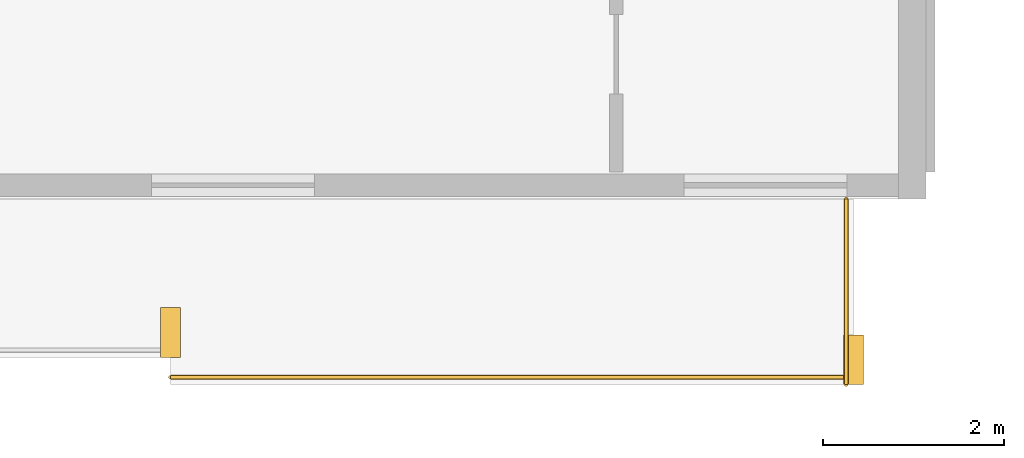
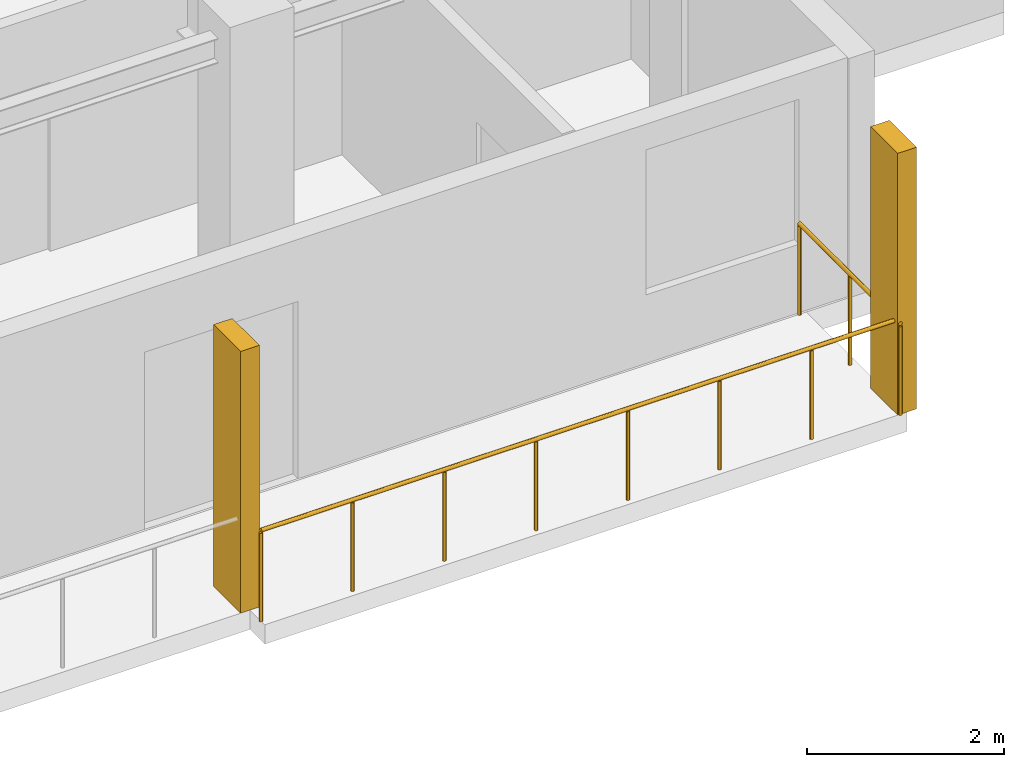
# One storey, part 19 of 21: 2 railings, 2 shading devices.
"""IFC4 building model written with IfcOpenShell, lengths in metres."""

from ifc_helpers import new_model, si_unit, direction, frame, origin, origin_2d, place, context, subcontext, project, spatial, rectangle, circle, extrude, material, type_object, element, save


model = new_model("IFC4")

# Units and contexts
model_context = context("Model", 3, precision=1e-05, world=origin(), true_north=direction((0.0, 1.0)))
body_context = subcontext(model_context, "Body", "Model", "MODEL_VIEW")
ifc_project = project(units=[si_unit("LENGTHUNIT", "METRE"), si_unit("AREAUNIT", "SQUARE_METRE"), si_unit("VOLUMEUNIT", "CUBIC_METRE"), si_unit("PLANEANGLEUNIT", "RADIAN"), si_unit("MASSUNIT", "GRAM", prefix="KILO")], contexts=[model_context])

# Site, building, storey
site_placement = place(None, origin())
site = spatial("IfcSite", under=ifc_project, at=site_placement, CompositionType="ELEMENT")
building_placement = place(site_placement, origin())
building = spatial("IfcBuilding", under=site, at=building_placement, Name="Korimba Cascade Residences", CompositionType="ELEMENT")
storey_placement = place(building_placement, frame((0.0, 0.0, 175.10009765625)))
storey = spatial("IfcBuildingStorey", under=building, at=storey_placement, Name="L50", CompositionType="ELEMENT", Elevation=175.10009765625)

# Railings
ifc_material_1 = material(Name="Laminated Glass and Bronze Balustrade", Category="glass")
railing_type = type_object("IfcRailingType", Name="RLG-LOG-1150", PredefinedType="BALUSTRADE", material=ifc_material_1)
railing_1_placement = place(storey_placement, frame((120.55712890625, -9.77001953125, 0.0)))
element("IfcRailing", 1, at=railing_1_placement, inside=storey, type_object=railing_type, Name="L50 Perimeter Guardrail RLG-L50-T2-LOG-06", PredefinedType="BALUSTRADE", context=body_context, shape_type="SweptSolid", body=[
    extrude(circle(Radius=0.02392578125, at=origin_2d()), frame((0.0, 0.0, 1.1259765625), z_axis=(1.0, 0.0, 0.0), x_axis=(0.0, 1.0, 0.0)), (0.0, 0.0, 1.0), 7.54296875),
    extrude(circle(Radius=0.02099609375, at=origin_2d()), origin(), (0.0, 0.0, 1.0), 1.101806640625),
    extrude(circle(Radius=0.02099609375, at=origin_2d()), frame((1.07763671875, 0.0, 0.0)), (0.0, 0.0, 1.0), 1.101806640625),
    extrude(circle(Radius=0.02099609375, at=origin_2d()), frame((2.155029296875, 0.0, 0.0)), (0.0, 0.0, 1.0), 1.101806640625),
    extrude(circle(Radius=0.02099609375, at=origin_2d()), frame((3.232666015625, 0.0, 0.0)), (0.0, 0.0, 1.0), 1.101806640625),
    extrude(circle(Radius=0.02099609375, at=origin_2d()), frame((4.310302734375, 0.0, 0.0)), (0.0, 0.0, 1.0), 1.101806640625),
    extrude(circle(Radius=0.02099609375, at=origin_2d()), frame((5.387939453125, 0.0, 0.0)), (0.0, 0.0, 1.0), 1.101806640625),
    extrude(circle(Radius=0.02099609375, at=origin_2d()), frame((6.46533203125, 0.0, 0.0)), (0.0, 0.0, 1.0), 1.101806640625),
    extrude(circle(Radius=0.02099609375, at=origin_2d()), frame((7.54296875, 0.0, 0.0)), (0.0, 0.0, 1.0), 1.101806640625),
])
railing_2_placement = place(storey_placement, frame((128.02001953125, -9.85009765625, 0.0)))
element("IfcRailing", 2, at=railing_2_placement, inside=storey, type_object=railing_type, Name="L50 Perimeter Guardrail RLG-L50-T2-LOG-07", PredefinedType="BALUSTRADE", context=body_context, shape_type="SweptSolid", body=[
    extrude(circle(Radius=0.02392578125, at=origin_2d()), frame((0.0, 0.0, 1.1259765625), z_axis=(0.0, 1.0, 0.0), x_axis=(-1.0, 0.0, 0.0)), (0.0, 0.0, 1.0), 2.050048828125),
    extrude(circle(Radius=0.02099609375, at=origin_2d()), origin(), (0.0, 0.0, 1.0), 1.101806640625),
    extrude(circle(Radius=0.02099609375, at=origin_2d()), frame((0.0, 1.02490234375, 0.0)), (0.0, 0.0, 1.0), 1.101806640625),
    extrude(circle(Radius=0.02099609375, at=origin_2d()), frame((0.0, 2.050048828125, 0.0)), (0.0, 0.0, 1.0), 1.101806640625),
])

# Shading devices
ifc_material_2 = material(Name="Honed Sandstone Precast Fin", Category="masonry")
shading_device_type = type_object("IfcShadingDeviceType", Name="SHD-FIN-550", PredefinedType="USERDEFINED", material=ifc_material_2)
for number, where, z_axis, x_axis, name in (
    (3, (120.55712890625, -9.27490234375, 0.0), (0.0, 0.0, 1.0), (1.0, 0.0, 0.0), "L50 T2 Warm-Stone Loggia Fin 7"),
    (4, (128.10009765625, -9.574951171875, 0.0), (0.0, 0.0, 1.0), (1.0, 0.0, 0.0), "L50 T2 Warm-Stone Loggia Fin 8"),
):
    element("IfcShadingDevice", number, at=place(storey_placement, frame(where, z_axis=z_axis, x_axis=x_axis)), inside=storey, type_object=shading_device_type, Name=name, ObjectType="FIN", PredefinedType="USERDEFINED", context=body_context, shape_type="SweptSolid", body=[
        extrude(rectangle(XDim=0.219970703125, YDim=0.550048828125, at=origin_2d()), origin(), (0.0, 0.0, 1.0), 3.25),
    ])

save(model, "model.ifc")
